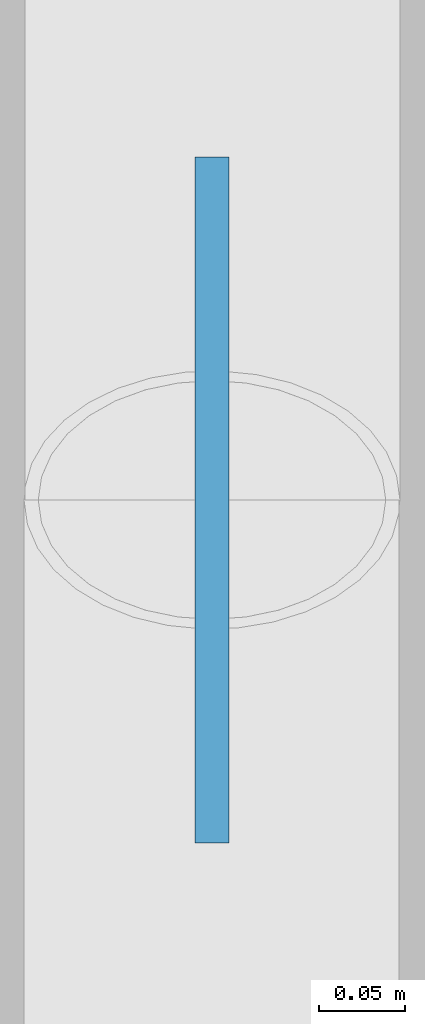
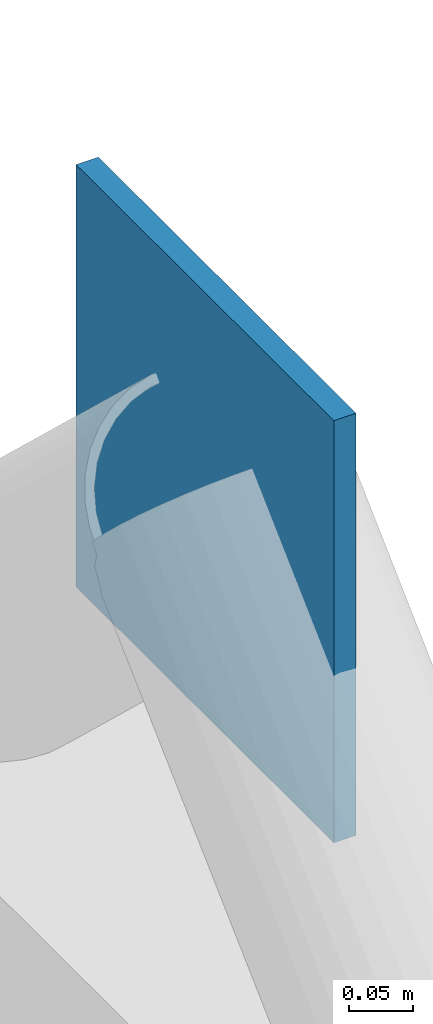
# One storey, part 88 of 140: 1 plate.
"""IFC4 building model written with IfcOpenShell, lengths in metres."""

from ifc_helpers import new_model, si_unit, direction, frame, origin, origin_2d, place, context, subcontext, project, spatial, rectangle, extrude, material, layer, layer_set, type_object, element, save


model = new_model("IFC4")

# Units and contexts
model_context = context("Model", 3, precision=1e-05, world=origin(), true_north=direction((0.0, 1.0)))
body_context = subcontext(model_context, "Body", "Model", "MODEL_VIEW")
ifc_project = project(units=[si_unit("LENGTHUNIT", "METRE"), si_unit("AREAUNIT", "SQUARE_METRE"), si_unit("VOLUMEUNIT", "CUBIC_METRE"), si_unit("PLANEANGLEUNIT", "RADIAN"), si_unit("MASSUNIT", "GRAM", prefix="KILO"), si_unit("THERMODYNAMICTEMPERATUREUNIT", "KELVIN"), si_unit("POWERUNIT", "WATT")], contexts=[model_context])

# Site, building, storey
site_placement = place(None, origin())
site = spatial("IfcSite", under=ifc_project, at=site_placement, CompositionType="ELEMENT")
building_placement = place(site_placement, origin())
building = spatial("IfcBuilding", under=site, at=building_placement, Name="Tallowbark Science Centre", CompositionType="ELEMENT")
storey_placement = place(building_placement, frame((0.0, 0.0, 9.89990234375)))
storey = spatial("IfcBuildingStorey", under=building, at=storey_placement, Name="L02", CompositionType="ELEMENT", Elevation=9.89990234375)

# Plate
ifc_material = material(Name="Structural Steel Grade 300PLUS (300 MPa)", Category="steel")
ifc_layer = layer(ifc_material, 0.02001953125)
ifc_layer_set = layer_set([ifc_layer], Name="Structural Steel Grade 300PLUS (300 MPa)")
plate_type = type_object("IfcPlateType", Name="PLT-GUS-20", PredefinedType="SHEET", material=ifc_layer_set)
plate_placement = place(storey_placement, frame((157.5, 85.5, 4.050048828125), z_axis=(0.0, 0.0, 1.0), x_axis=(0.0, 1.0, 0.0)))
element("IfcPlate", 1, at=plate_placement, inside=storey, type_object=plate_type, Name="Chevron Brace Apex Gusset CBF-OBS-E1B L02", PredefinedType="SHEET", context=body_context, shape_type="SweptSolid", body=[
    extrude(rectangle(XDim=0.39990234375, YDim=0.02001953125, at=origin_2d()), origin(), (0.0, 0.0, 1.0), 0.39990234375),
])

save(model, "model.ifc")
